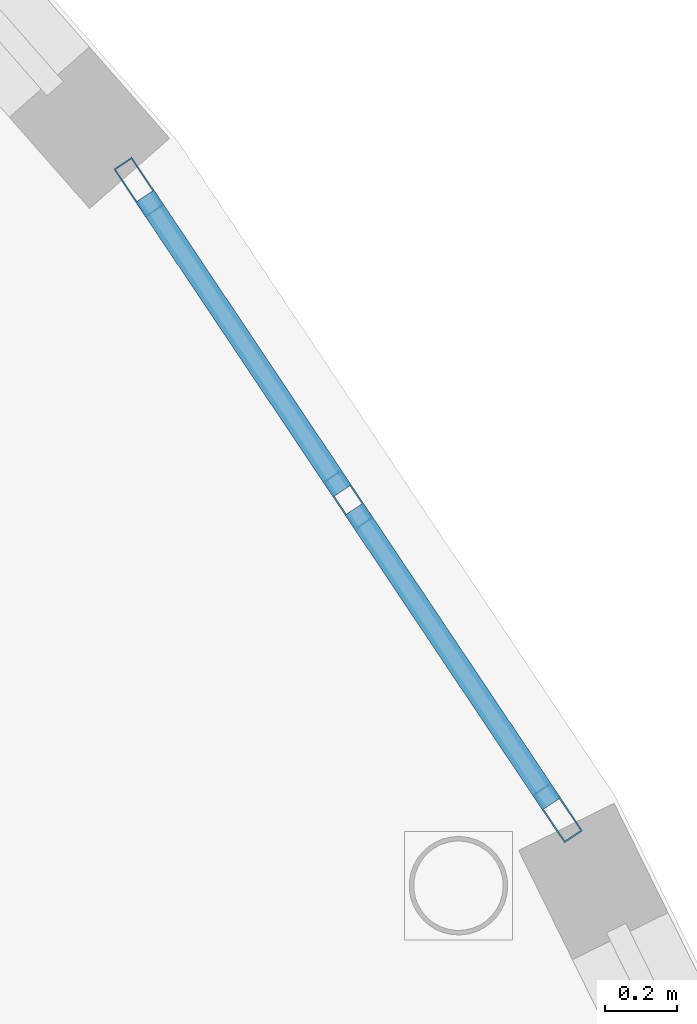
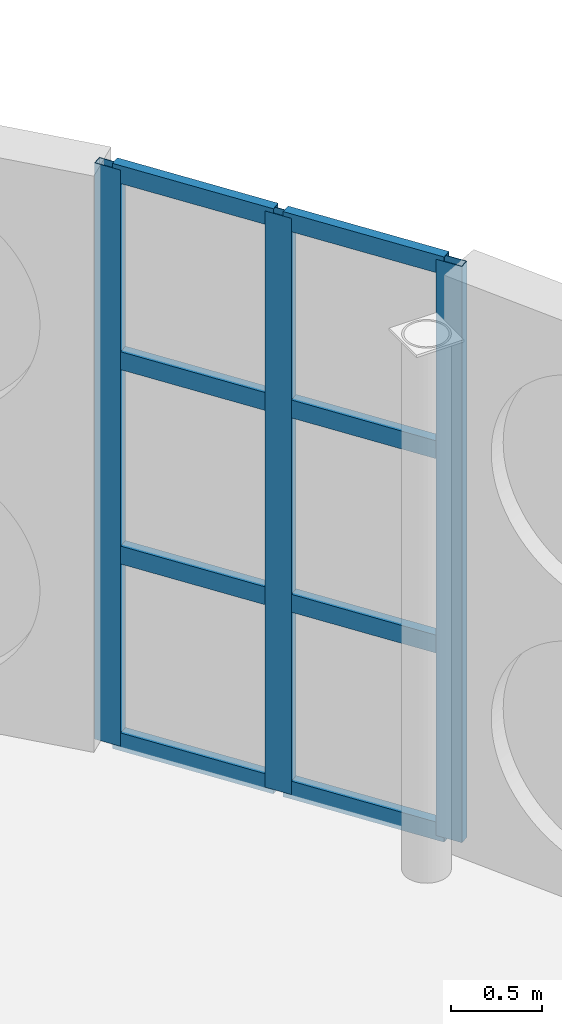
# One storey, part 30 of 114: 11 members, 1 element without a shape of its own.
"""IFC4 building model written with IfcOpenShell, lengths in metres."""

from ifc_helpers import new_model, si_unit, direction, frame, origin, origin_2d, place, context, subcontext, project, spatial, hollow_rectangle, extrude, material, layer, layer_set, material_profile, profile_set, type_object, element, aggregate, save


model = new_model("IFC4")

# Units and contexts
model_context = context("Model", 3, precision=1e-05, world=origin(), true_north=direction((0.0, 1.0)))
body_context = subcontext(model_context, "Body", "Model", "MODEL_VIEW")
ifc_project = project(units=[si_unit("LENGTHUNIT", "METRE"), si_unit("AREAUNIT", "SQUARE_METRE"), si_unit("VOLUMEUNIT", "CUBIC_METRE"), si_unit("PLANEANGLEUNIT", "RADIAN"), si_unit("MASSUNIT", "GRAM", prefix="KILO")], contexts=[model_context])

# Site, building, storey
site_placement = place(None, origin())
site = spatial("IfcSite", under=ifc_project, at=site_placement, CompositionType="ELEMENT")
building_placement = place(site_placement, origin())
building = spatial("IfcBuilding", under=site, at=building_placement, Name="Montecoro Central Library", CompositionType="ELEMENT")
storey_placement = place(building_placement, frame((0.0, 0.0, 13.260009765625)))
storey = spatial("IfcBuildingStorey", under=building, at=storey_placement, Name="L03", CompositionType="ELEMENT", Elevation=13.260009765625)

# Curtain wall, members
ifc_material_1 = material(Name="Bronze-anodised aluminium and low-E glazing", Category="aluminium")
ifc_layer = layer(ifc_material_1, 0.159912109375)
ifc_layer_set = layer_set([ifc_layer], Name="Bronze-anodised aluminium and low-E glazing")
curtain_wall_type = type_object("IfcCurtainWallType", Name="CWT-005", PredefinedType="NOTDEFINED", material=ifc_layer_set)
curtain_wall_placement = place(storey_placement, origin())
curtain_wall = element("IfcCurtainWall", 1, at=curtain_wall_placement, inside=storey, type_object=curtain_wall_type, Name="V1-L03-CW-05", PredefinedType="NOTDEFINED")
ifc_material_2 = material(Name="Bronze-anodised aluminium", Category="aluminium")
ifc_material_profile_1 = material_profile(ifc_material_2, hollow_rectangle(XDim=0.06005859375, YDim=0.159912109375, WallThickness=0.00390625, at=origin_2d()), Name="CWM 160x60x4.0")
ifc_profile_set_1 = profile_set([ifc_material_profile_1], Name="Bronze-anodised aluminium")
member_type_1 = type_object("IfcMemberType", Name="CWM-BRZ-60", PredefinedType="MULLION", material=ifc_profile_set_1)
member_1_placement = place(storey_placement, frame((105.88623046875, 43.69189453125, 0.0), z_axis=(0.0, 0.0, 1.0), x_axis=(-0.831116851291, -0.556097814687, 0.0)))
member_1 = element("IfcMember", 2, at=member_1_placement, type_object=member_type_1, Name="CW-005 mullion 1", PredefinedType="MULLION", context=body_context, shape_type="SweptSolid", body=[
    extrude(hollow_rectangle(XDim=0.06005859375, YDim=0.159912109375, WallThickness=0.00390625, at=origin_2d()), origin(), (0.0, 0.0, 1.0), 3.85498046875),
])
member_2_placement = place(storey_placement, frame((105.306396484375, 44.55859375, 0.0), z_axis=(0.0, 0.0, 1.0), x_axis=(-0.831116851291, -0.556097814687, 0.0)))
member_2 = element("IfcMember", 3, at=member_2_placement, type_object=member_type_1, Name="CW-005 mullion 2", PredefinedType="MULLION", context=body_context, shape_type="SweptSolid", body=[
    extrude(hollow_rectangle(XDim=0.06005859375, YDim=0.159912109375, WallThickness=0.00390625, at=origin_2d()), origin(), (0.0, 0.0, 1.0), 3.85498046875),
])
member_3_placement = place(storey_placement, frame((104.7265625, 45.425048828125, 0.0), z_axis=(0.0, 0.0, 1.0), x_axis=(-0.831116851291, -0.556097814687, 0.0)))
member_3 = element("IfcMember", 4, at=member_3_placement, type_object=member_type_1, Name="CW-005 mullion 3", PredefinedType="MULLION", context=body_context, shape_type="SweptSolid", body=[
    extrude(hollow_rectangle(XDim=0.06005859375, YDim=0.159912109375, WallThickness=0.00390625, at=origin_2d()), origin(), (0.0, 0.0, 1.0), 3.85498046875),
])
ifc_material_profile_2 = material_profile(ifc_material_2, hollow_rectangle(XDim=0.06005859375, YDim=0.1201171875, WallThickness=0.00390625, at=origin_2d()), Name="CWT 120x60x4.0")
ifc_profile_set_2 = profile_set([ifc_material_profile_2], Name="Bronze-anodised aluminium")
member_type_2 = type_object("IfcMemberType", Name="CWT-BRZ-60", PredefinedType="USERDEFINED", material=ifc_profile_set_2)
member_4_placement = place(storey_placement, frame((105.86962890625, 43.716796875, 0.030029296875), z_axis=(-0.556075578393, 0.831131729099, 0.0), x_axis=(-0.831131729099, -0.556075578393, 0.0)))
member_4 = element("IfcMember", 5, at=member_4_placement, type_object=member_type_2, Name="CW-005 transom 1.1", ObjectType="TRANSOM", PredefinedType="USERDEFINED", context=body_context, shape_type="SweptSolid", body=[
    extrude(hollow_rectangle(XDim=0.06005859375, YDim=0.1201171875, WallThickness=0.00390625, at=origin_2d()), origin(), (0.0, 0.0, 1.0), 0.982666015625),
])
member_5_placement = place(storey_placement, frame((105.86962890625, 43.716796875, 1.280029296875), z_axis=(-0.556075578393, 0.831131729099, 0.0), x_axis=(-0.831131729099, -0.556075578393, 0.0)))
member_5 = element("IfcMember", 6, at=member_5_placement, type_object=member_type_2, Name="CW-005 transom 1.2", ObjectType="TRANSOM", PredefinedType="USERDEFINED", context=body_context, shape_type="SweptSolid", body=[
    extrude(hollow_rectangle(XDim=0.06005859375, YDim=0.1201171875, WallThickness=0.00390625, at=origin_2d()), origin(), (0.0, 0.0, 1.0), 0.982666015625),
])
member_6_placement = place(storey_placement, frame((105.86962890625, 43.716796875, 2.580078125), z_axis=(-0.556075578393, 0.831131729099, 0.0), x_axis=(-0.831131729099, -0.556075578393, 0.0)))
member_6 = element("IfcMember", 7, at=member_6_placement, type_object=member_type_2, Name="CW-005 transom 1.3", ObjectType="TRANSOM", PredefinedType="USERDEFINED", context=body_context, shape_type="SweptSolid", body=[
    extrude(hollow_rectangle(XDim=0.06005859375, YDim=0.1201171875, WallThickness=0.00390625, at=origin_2d()), origin(), (0.0, 0.0, 1.0), 0.982666015625),
])
member_7_placement = place(storey_placement, frame((105.86962890625, 43.716796875, 3.824951171875), z_axis=(-0.556075578393, 0.831131729099, 0.0), x_axis=(-0.831131729099, -0.556075578393, 0.0)))
member_7 = element("IfcMember", 8, at=member_7_placement, type_object=member_type_2, Name="CW-005 transom 1.4", ObjectType="TRANSOM", PredefinedType="USERDEFINED", context=body_context, shape_type="SweptSolid", body=[
    extrude(hollow_rectangle(XDim=0.06005859375, YDim=0.1201171875, WallThickness=0.00390625, at=origin_2d()), origin(), (0.0, 0.0, 1.0), 0.982666015625),
])
member_8_placement = place(storey_placement, frame((105.289794921875, 44.58349609375, 0.030029296875), z_axis=(-0.556075578393, 0.831131729099, 0.0), x_axis=(-0.831131729099, -0.556075578393, 0.0)))
member_8 = element("IfcMember", 9, at=member_8_placement, type_object=member_type_2, Name="CW-005 transom 2.1", ObjectType="TRANSOM", PredefinedType="USERDEFINED", context=body_context, shape_type="SweptSolid", body=[
    extrude(hollow_rectangle(XDim=0.06005859375, YDim=0.1201171875, WallThickness=0.00390625, at=origin_2d()), origin(), (0.0, 0.0, 1.0), 0.982666015625),
])
member_9_placement = place(storey_placement, frame((105.289794921875, 44.58349609375, 1.280029296875), z_axis=(-0.556075578393, 0.831131729099, 0.0), x_axis=(-0.831131729099, -0.556075578393, 0.0)))
member_9 = element("IfcMember", 10, at=member_9_placement, type_object=member_type_2, Name="CW-005 transom 2.2", ObjectType="TRANSOM", PredefinedType="USERDEFINED", context=body_context, shape_type="SweptSolid", body=[
    extrude(hollow_rectangle(XDim=0.06005859375, YDim=0.1201171875, WallThickness=0.00390625, at=origin_2d()), origin(), (0.0, 0.0, 1.0), 0.982666015625),
])
member_10_placement = place(storey_placement, frame((105.289794921875, 44.58349609375, 2.580078125), z_axis=(-0.556075578393, 0.831131729099, 0.0), x_axis=(-0.831131729099, -0.556075578393, 0.0)))
member_10 = element("IfcMember", 11, at=member_10_placement, type_object=member_type_2, Name="CW-005 transom 2.3", ObjectType="TRANSOM", PredefinedType="USERDEFINED", context=body_context, shape_type="SweptSolid", body=[
    extrude(hollow_rectangle(XDim=0.06005859375, YDim=0.1201171875, WallThickness=0.00390625, at=origin_2d()), origin(), (0.0, 0.0, 1.0), 0.982666015625),
])
member_11_placement = place(storey_placement, frame((105.289794921875, 44.58349609375, 3.824951171875), z_axis=(-0.556075578393, 0.831131729099, 0.0), x_axis=(-0.831131729099, -0.556075578393, 0.0)))
member_11 = element("IfcMember", 12, at=member_11_placement, type_object=member_type_2, Name="CW-005 transom 2.4", ObjectType="TRANSOM", PredefinedType="USERDEFINED", context=body_context, shape_type="SweptSolid", body=[
    extrude(hollow_rectangle(XDim=0.06005859375, YDim=0.1201171875, WallThickness=0.00390625, at=origin_2d()), origin(), (0.0, 0.0, 1.0), 0.982666015625),
])
aggregate(curtain_wall, [member_1, member_2, member_3, member_4, member_5, member_6, member_7, member_8, member_9, member_10, member_11])

save(model, "model.ifc")
